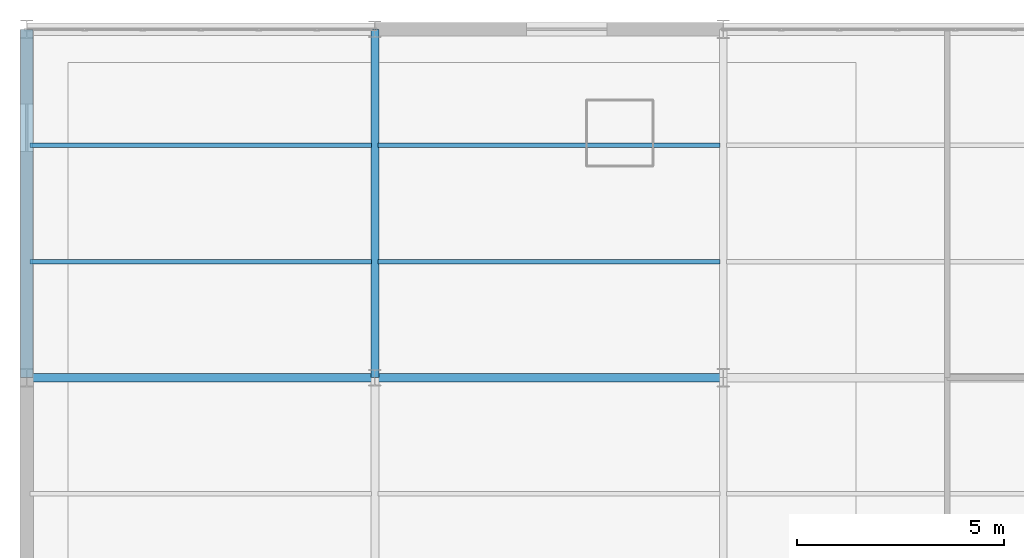
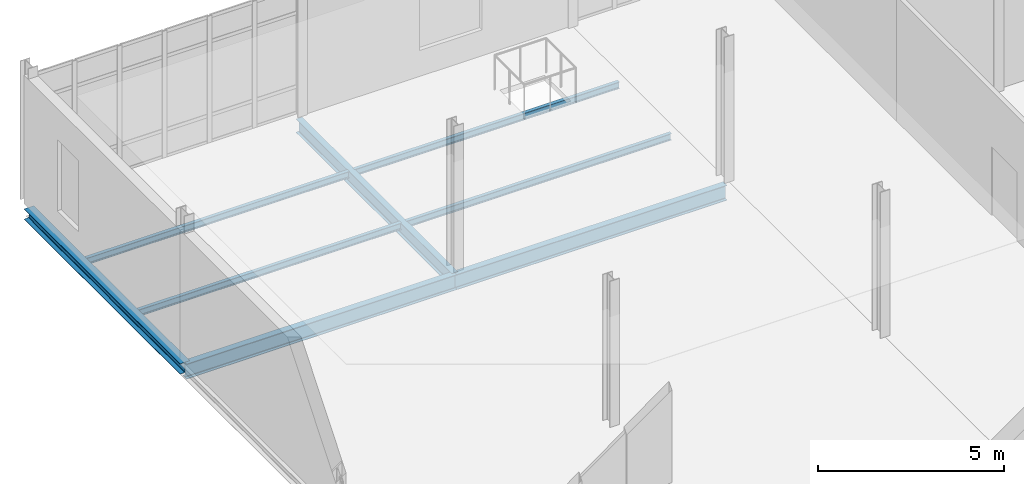
# One storey, part 15 of 28: 8 beams.
"""IFC4 building model written with IfcOpenShell, lengths in metres."""

from ifc_helpers import new_model, si_unit, direction, frame, origin, origin_2d, place, context, subcontext, project, spatial, i_section, extrude, material, material_profile, profile_set, type_object, element, save


model = new_model("IFC4")

# Units and contexts
model_context = context("Model", 3, precision=1e-05, world=origin(), true_north=direction((0.0, 1.0)))
body_context = subcontext(model_context, "Body", "Model", "MODEL_VIEW")
ifc_project = project(units=[si_unit("LENGTHUNIT", "METRE"), si_unit("AREAUNIT", "SQUARE_METRE"), si_unit("VOLUMEUNIT", "CUBIC_METRE"), si_unit("PLANEANGLEUNIT", "RADIAN"), si_unit("MASSUNIT", "GRAM", prefix="KILO")], contexts=[model_context])

# Site, building, storey
site_placement = place(None, origin())
site = spatial("IfcSite", under=ifc_project, at=site_placement, CompositionType="ELEMENT")
building_placement = place(site_placement, origin())
building = spatial("IfcBuilding", under=site, at=building_placement, Name="Qalvenar Corner Mobility Hub", CompositionType="ELEMENT")
storey_placement = place(building_placement, frame((0.0, 0.0, 21.60009765625)))
storey = spatial("IfcBuildingStorey", under=building, at=storey_placement, Name="L05", CompositionType="ELEMENT", Elevation=21.60009765625)

# Beams
ifc_material = material(Name="Steel S355", Category="steel")
ifc_material_profile_1 = material_profile(ifc_material, i_section(OverallWidth=0.18994140625, OverallDepth=0.449951171875, WebThickness=0.009521484375, FlangeThickness=0.0146484375, FilletRadius=0.02099609375, at=origin_2d()), Name="IPE450")
ifc_profile_set_1 = profile_set([ifc_material_profile_1], Name="Steel S355")
beam_type_1 = type_object("IfcBeamType", Name="BM-IPE450", PredefinedType="BEAM", material=ifc_profile_set_1)
beam_1_placement = place(storey_placement, frame((8.39990234375, 33.60009765625, -0.405029296875), z_axis=(0.0, 1.0, 0.0), x_axis=(-1.0, 0.0, 0.0)))
element("IfcBeam", 1, at=beam_1_placement, inside=storey, type_object=beam_type_1, Name="Primary Steel Girder GY-2984", PredefinedType="BEAM", context=body_context, shape_type="SweptSolid", body=[
    extrude(i_section(OverallWidth=0.18994140625, OverallDepth=0.449951171875, WebThickness=0.009521484375, FlangeThickness=0.0146484375, FilletRadius=0.02099609375, at=origin_2d()), origin(), (0.0, 0.0, 1.0), 8.39990234375),
])
ifc_material_profile_2 = material_profile(ifc_material, i_section(OverallWidth=0.199951171875, OverallDepth=0.5, WebThickness=0.01025390625, FlangeThickness=0.01611328125, FilletRadius=0.02099609375, at=origin_2d()), Name="IPE500")
ifc_profile_set_2 = profile_set([ifc_material_profile_2], Name="Steel S355")
beam_type_2 = type_object("IfcBeamType", Name="BM-IPE500", PredefinedType="BEAM", material=ifc_profile_set_2)
beam_2_placement = place(storey_placement, frame((0.0, 33.60009765625, -0.43017578125), z_axis=(1.0, 0.0, 0.0), x_axis=(0.0, 1.0, 0.0)))
element("IfcBeam", 2, at=beam_2_placement, inside=storey, type_object=beam_type_2, Name="Primary Steel Girder GX-2965", PredefinedType="BEAM", context=body_context, shape_type="SweptSolid", body=[
    extrude(i_section(OverallWidth=0.199951171875, OverallDepth=0.5, WebThickness=0.01025390625, FlangeThickness=0.01611328125, FilletRadius=0.02099609375, at=origin_2d()), origin(), (0.0, 0.0, 1.0), 8.39990234375),
])
beam_3_placement = place(storey_placement, frame((8.39990234375, 33.60009765625, -0.43017578125), z_axis=(1.0, 0.0, 0.0), x_axis=(0.0, 1.0, 0.0)))
element("IfcBeam", 3, at=beam_3_placement, inside=storey, type_object=beam_type_2, Name="Primary Steel Girder GX-2966", PredefinedType="BEAM", context=body_context, shape_type="SweptSolid", body=[
    extrude(i_section(OverallWidth=0.199951171875, OverallDepth=0.5, WebThickness=0.01025390625, FlangeThickness=0.01611328125, FilletRadius=0.02099609375, at=origin_2d()), origin(), (0.0, 0.0, 1.0), 8.400146484375),
])
ifc_material_profile_3 = material_profile(ifc_material, i_section(OverallWidth=0.110107421875, OverallDepth=0.219970703125, WebThickness=0.005859375, FlangeThickness=0.00927734375, FilletRadius=0.011962890625, at=origin_2d()), Name="IPE220")
ifc_profile_set_3 = profile_set([ifc_material_profile_3], Name="Steel S355")
beam_type_3 = type_object("IfcBeamType", Name="BM-JST220", PredefinedType="JOIST", material=ifc_profile_set_3)
for number, where, z_axis, x_axis, name in (
    (4, (0.077880859375, 36.39990234375, -0.2900390625), (1.0, 0.0, 0.0), (0.0, 1.0, 0.0), "Composite Floor Joist J-3014"),
    (5, (0.077880859375, 39.199951171875, -0.2900390625), (1.0, 0.0, 0.0), (0.0, 1.0, 0.0), "Composite Floor Joist J-3015"),
):
    element("IfcBeam", number, at=place(storey_placement, frame(where, z_axis=z_axis, x_axis=x_axis)), inside=storey, type_object=beam_type_3, Name=name, PredefinedType="JOIST", context=body_context, shape_type="SweptSolid", body=[
        extrude(i_section(OverallWidth=0.110107421875, OverallDepth=0.219970703125, WebThickness=0.005859375, FlangeThickness=0.00927734375, FilletRadius=0.011962890625, at=origin_2d()), origin(), (0.0, 0.0, 1.0), 8.244140625),
    ])
for number, where, z_axis, x_axis, name in (
    (6, (8.47802734375, 36.39990234375, -0.2900390625), (1.0, 0.0, 0.0), (0.0, 1.0, 0.0), "Composite Floor Joist J-3022"),
    (7, (8.47802734375, 39.199951171875, -0.2900390625), (1.0, 0.0, 0.0), (0.0, 1.0, 0.0), "Composite Floor Joist J-3023"),
):
    element("IfcBeam", number, at=place(storey_placement, frame(where, z_axis=z_axis, x_axis=x_axis)), inside=storey, type_object=beam_type_3, Name=name, PredefinedType="JOIST", context=body_context, shape_type="SweptSolid", body=[
        extrude(i_section(OverallWidth=0.110107421875, OverallDepth=0.219970703125, WebThickness=0.005859375, FlangeThickness=0.00927734375, FilletRadius=0.011962890625, at=origin_2d()), origin(), (0.0, 0.0, 1.0), 8.243896484375),
    ])
ifc_material_profile_4 = material_profile(ifc_material, i_section(OverallWidth=0.300048828125, OverallDepth=0.35009765625, WebThickness=0.010009765625, FlangeThickness=0.017578125, FilletRadius=0.027099609375, at=origin_2d()), Name="HEA360")
ifc_profile_set_4 = profile_set([ifc_material_profile_4], Name="Steel S355")
beam_type_4 = type_object("IfcBeamType", Name="BM-SPN360", PredefinedType="SPANDREL", material=ifc_profile_set_4)
beam_4_placement = place(storey_placement, frame((0.0, 33.60009765625, -0.35498046875), z_axis=(0.0, 1.0, 0.0), x_axis=(-1.0, 0.0, 0.0)))
element("IfcBeam", 8, at=beam_4_placement, inside=storey, type_object=beam_type_4, Name="Primary Steel Girder GY-2979", PredefinedType="SPANDREL", context=body_context, shape_type="SweptSolid", body=[
    extrude(i_section(OverallWidth=0.300048828125, OverallDepth=0.35009765625, WebThickness=0.010009765625, FlangeThickness=0.017578125, FilletRadius=0.027099609375, at=origin_2d()), origin(), (0.0, 0.0, 1.0), 8.39990234375),
])

save(model, "model.ifc")
